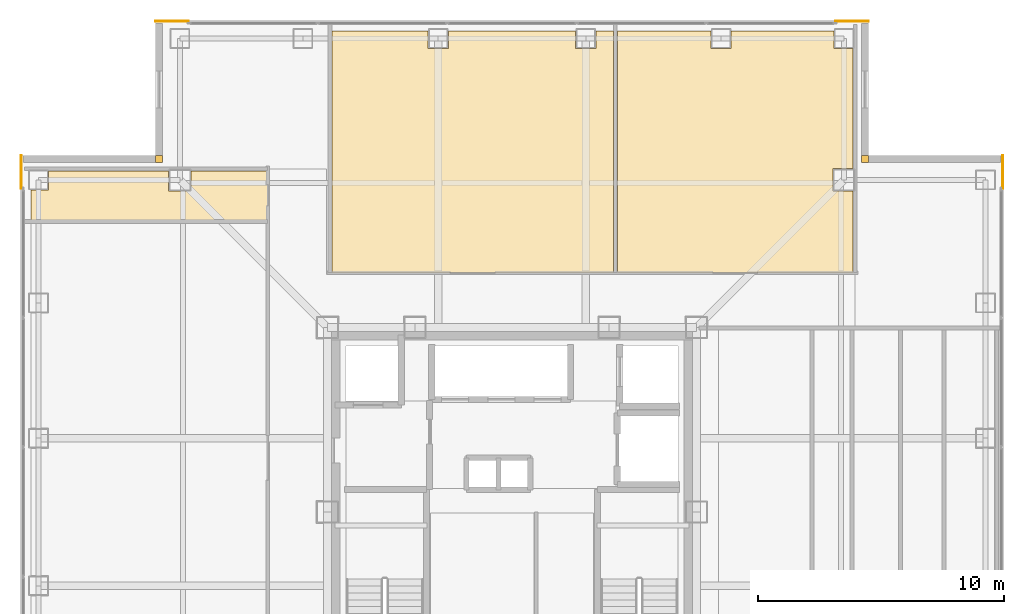
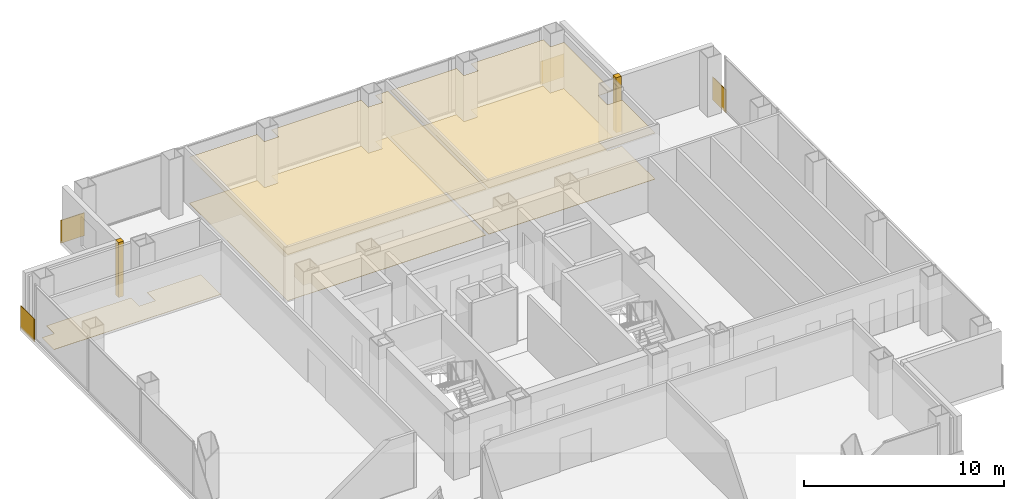
# One storey, part 18 of 18: 11 coverings.
"""IFC4 building model written with IfcOpenShell, lengths in metres."""

from ifc_helpers import new_model, si_unit, direction, frame, frame_2d, origin, place, context, subcontext, project, spatial, polyline, rectangle, outline, extrude, material, layer, layer_set, type_object, element, save


model = new_model("IFC4")

# Units and contexts
model_context = context("Model", 3, precision=1e-05, world=origin(), true_north=direction((0.0, 1.0)))
body_context = subcontext(model_context, "Body", "Model", "MODEL_VIEW")
ifc_project = project(units=[si_unit("LENGTHUNIT", "METRE"), si_unit("AREAUNIT", "SQUARE_METRE"), si_unit("VOLUMEUNIT", "CUBIC_METRE"), si_unit("PLANEANGLEUNIT", "RADIAN"), si_unit("MASSUNIT", "GRAM", prefix="KILO")], contexts=[model_context])

# Site, building, storey
site_placement = place(None, origin())
site = spatial("IfcSite", under=ifc_project, at=site_placement, CompositionType="ELEMENT")
building_placement = place(site_placement, origin())
building = spatial("IfcBuilding", under=site, at=building_placement, Name="Trevonay Congress Spire", CompositionType="ELEMENT")
storey_placement = place(building_placement, frame((0.0, 0.0, 198.60009765625)))
storey = spatial("IfcBuildingStorey", under=building, at=storey_placement, Name="L51", CompositionType="ELEMENT", Elevation=198.60009765625)

# Coverings
ifc_material_1 = material(Name="Acoustic Mineral Fibre Board", Category="gypsum")
ifc_layer_1 = layer(ifc_material_1, 0.02490234375, Name="Acoustic Mineral Fibre Board")
ifc_layer_set_1 = layer_set([ifc_layer_1], Name="Acoustic Mineral Fibre Board")
covering_type_1 = type_object("IfcCoveringType", Name="COV-CEIL-ACOUSTIC", PredefinedType="CEILING", material=ifc_layer_set_1)
covering_1_placement = place(storey_placement, frame((0.0, 0.0, 2.809814453125)))
element("IfcCovering", 1, at=covering_1_placement, inside=storey, type_object=covering_type_1, Name="L51 Champagne Aperitif Bar acoustic suspended ceiling", PredefinedType="CEILING", context=body_context, shape_type="SweptSolid", body=[
    extrude(outline(polyline([(4.1201171875, 19.550048828125), (4.1201171875, 9.72998046875), (-7.320068359375, 9.72998046875), (-7.320068359375, 19.550048828125), (-3.409912109375, 19.550048828125), (-3.409912109375, 18.840087890625), (-2.590087890625, 18.840087890625), (-2.590087890625, 19.550048828125), (2.590087890625, 19.550048828125), (2.590087890625, 18.840087890625), (3.409912109375, 18.840087890625), (3.409912109375, 19.550048828125), (4.1201171875, 19.550048828125)])), origin(), (0.0, 0.0, 1.0), 0.025146484375),
])
covering_2_placement = place(storey_placement, frame((0.0, 0.0, 2.809814453125)))
element("IfcCovering", 2, at=covering_2_placement, inside=storey, type_object=covering_type_1, Name="L51 Private Chef Table Dining acoustic suspended ceiling", PredefinedType="CEILING", context=body_context, shape_type="SweptSolid", body=[
    extrude(outline(polyline([(13.8701171875, 9.72998046875), (4.280029296875, 9.72998046875), (4.280029296875, 19.550048828125), (8.090087890625, 19.550048828125), (8.090087890625, 18.840087890625), (8.909912109375, 18.840087890625), (8.909912109375, 19.550048828125), (13.090087890625, 19.550048828125), (13.090087890625, 18.840087890625), (13.8701171875, 18.840087890625), (13.8701171875, 13.9599609375), (13.0400390625, 13.9599609375), (13.0400390625, 13.0400390625), (13.8701171875, 13.0400390625), (13.8701171875, 9.72998046875)])), origin(), (0.0, 0.0, 1.0), 0.025146484375),
])
ifc_material_2 = material(Name="Polished Granite Floor Tile", Category="masonry")
ifc_layer_2 = layer(ifc_material_2, 0.02001953125, Name="Polished Granite Floor Tile")
ifc_layer_set_2 = layer_set([ifc_layer_2], Name="Polished Granite Floor Tile")
covering_type_2 = type_object("IfcCoveringType", Name="COV-FLOOR-STONE", PredefinedType="FLOORING", material=ifc_layer_set_2)
covering_3_placement = place(storey_placement, origin())
element("IfcCovering", 3, at=covering_3_placement, inside=storey, type_object=covering_type_2, Name="L51 Accessible WC floor finish", PredefinedType="FLOORING", context=body_context, shape_type="SweptSolid", body=[
    extrude(outline(polyline([(-9.929931640625, 13.8701171875), (-9.929931640625, 11.8798828125), (-19.550048828125, 11.8798828125), (-19.550048828125, 13.090087890625), (-18.840087890625, 13.090087890625), (-18.840087890625, 13.8701171875), (-13.9599609375, 13.8701171875), (-13.9599609375, 13.0400390625), (-13.0400390625, 13.0400390625), (-13.0400390625, 13.8701171875), (-9.929931640625, 13.8701171875)])), origin(), (0.0, 0.0, 1.0), 0.02001953125),
])
covering_4_placement = place(storey_placement, origin())
element("IfcCovering", 4, at=covering_4_placement, inside=storey, type_object=covering_type_2, Name="L51 Champagne Aperitif Bar floor finish", PredefinedType="FLOORING", context=body_context, shape_type="SweptSolid", body=[
    extrude(outline(polyline([(4.1201171875, 19.550048828125), (4.1201171875, 9.72998046875), (-7.320068359375, 9.72998046875), (-7.320068359375, 19.550048828125), (-3.409912109375, 19.550048828125), (-3.409912109375, 18.840087890625), (-2.590087890625, 18.840087890625), (-2.590087890625, 19.550048828125), (2.590087890625, 19.550048828125), (2.590087890625, 18.840087890625), (3.409912109375, 18.840087890625), (3.409912109375, 19.550048828125), (4.1201171875, 19.550048828125)])), origin(), (0.0, 0.0, 1.0), 0.02001953125),
])
covering_5_placement = place(storey_placement, origin())
element("IfcCovering", 5, at=covering_5_placement, inside=storey, type_object=covering_type_2, Name="L51 Private Chef Table Dining floor finish", PredefinedType="FLOORING", context=body_context, shape_type="SweptSolid", body=[
    extrude(outline(polyline([(13.8701171875, 9.72998046875), (4.280029296875, 9.72998046875), (4.280029296875, 19.550048828125), (8.090087890625, 19.550048828125), (8.090087890625, 18.840087890625), (8.909912109375, 18.840087890625), (8.909912109375, 19.550048828125), (13.090087890625, 19.550048828125), (13.090087890625, 18.840087890625), (13.8701171875, 18.840087890625), (13.8701171875, 13.9599609375), (13.0400390625, 13.9599609375), (13.0400390625, 13.0400390625), (13.8701171875, 13.0400390625), (13.8701171875, 9.72998046875)])), origin(), (0.0, 0.0, 1.0), 0.02001953125),
])
ifc_material_3 = material(Name="Pale Anodised Aluminium EN AW-6063-T6", Category="aluminium")
ifc_layer_3 = layer(ifc_material_3, 0.0400390625, Name="Pale Anodised Aluminium EN AW-6063-T6")
ifc_layer_set_3 = layer_set([ifc_layer_3], Name="Pale Anodised Aluminium EN AW-6063-T6")
covering_type_3 = type_object("IfcCoveringType", Name="COV-SPANDREL-PALE-METAL", PredefinedType="CLADDING", material=ifc_layer_set_3)
covering_6_placement = place(storey_placement, origin())
element("IfcCovering", 6, at=covering_6_placement, inside=storey, type_object=covering_type_3, Name="L51 NE re-entrant notch corner closure trim", PredefinedType="CLADDING", context=body_context, shape_type="SweptSolid", body=[
    extrude(outline(polyline([(14.199951171875, 14.199951171875), (14.5, 14.199951171875), (14.5, 14.5), (14.199951171875, 14.5), (14.199951171875, 14.199951171875)])), origin(), (0.0, 0.0, 1.0), 3.35986328125),
])
for number, where, z_axis, x_axis, name in (
    (7, (19.93994140625, 13.14990234375, -0.150146484375), (0.0, 0.0, 1.0), (0.0, 1.0, 0.0), "L51 NE corner pier spandrel cladding 1"),
    (8, (13.14990234375, 19.93994140625, -0.150146484375), (0.0, 0.0, 1.0), (1.0, 0.0, 0.0), "L51 NE corner pier spandrel cladding 2"),
):
    element("IfcCovering", number, at=place(storey_placement, frame(where, z_axis=z_axis, x_axis=x_axis)), inside=storey, type_object=covering_type_3, Name=name, PredefinedType="CLADDING", context=body_context, shape_type="SweptSolid", body=[
        extrude(rectangle(XDim=1.35009765625, YDim=0.0400390625, at=frame_2d((0.675048828125, 0.0))), origin(), (0.0, 0.0, 1.0), 1.400146484375),
    ])
covering_7_placement = place(storey_placement, origin())
element("IfcCovering", 9, at=covering_7_placement, inside=storey, type_object=covering_type_3, Name="L51 NW re-entrant notch corner closure trim", PredefinedType="CLADDING", context=body_context, shape_type="SweptSolid", body=[
    extrude(outline(polyline([(-14.5, 14.199951171875), (-14.199951171875, 14.199951171875), (-14.199951171875, 14.5), (-14.5, 14.5), (-14.5, 14.199951171875)])), origin(), (0.0, 0.0, 1.0), 3.35986328125),
])
for number, where, z_axis, x_axis, name in (
    (10, (-19.93994140625, 13.14990234375, -0.150146484375), (0.0, 0.0, 1.0), (0.0, 1.0, 0.0), "L51 NW corner pier spandrel cladding 1"),
    (11, (-13.14990234375, 19.93994140625, -0.150146484375), (0.0, 0.0, 1.0), (-1.0, 0.0, 0.0), "L51 NW corner pier spandrel cladding 2"),
):
    element("IfcCovering", number, at=place(storey_placement, frame(where, z_axis=z_axis, x_axis=x_axis)), inside=storey, type_object=covering_type_3, Name=name, PredefinedType="CLADDING", context=body_context, shape_type="SweptSolid", body=[
        extrude(rectangle(XDim=1.35009765625, YDim=0.0400390625, at=frame_2d((0.675048828125, 0.0))), origin(), (0.0, 0.0, 1.0), 1.400146484375),
    ])

save(model, "model.ifc")
